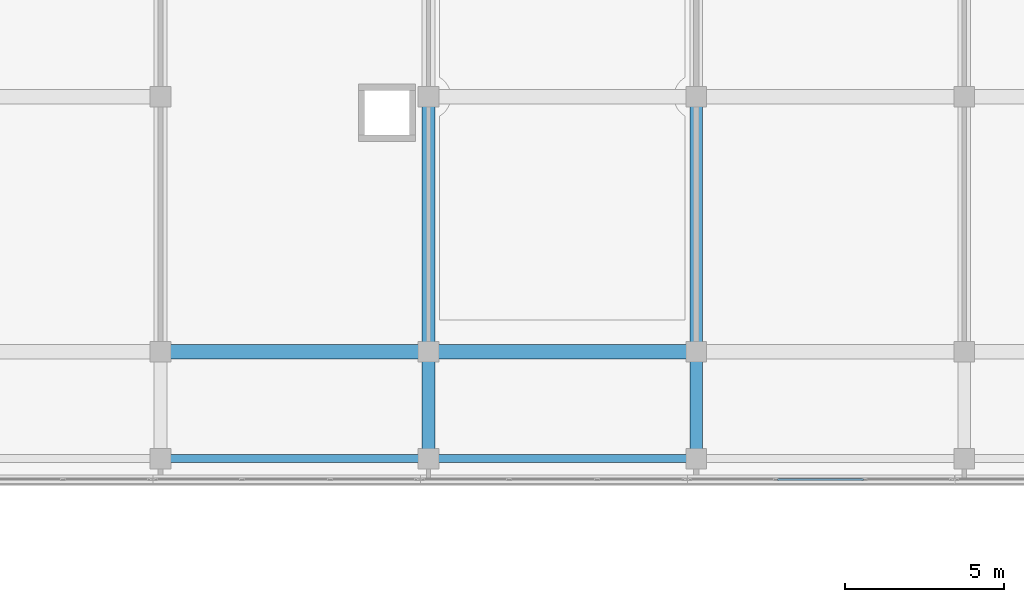
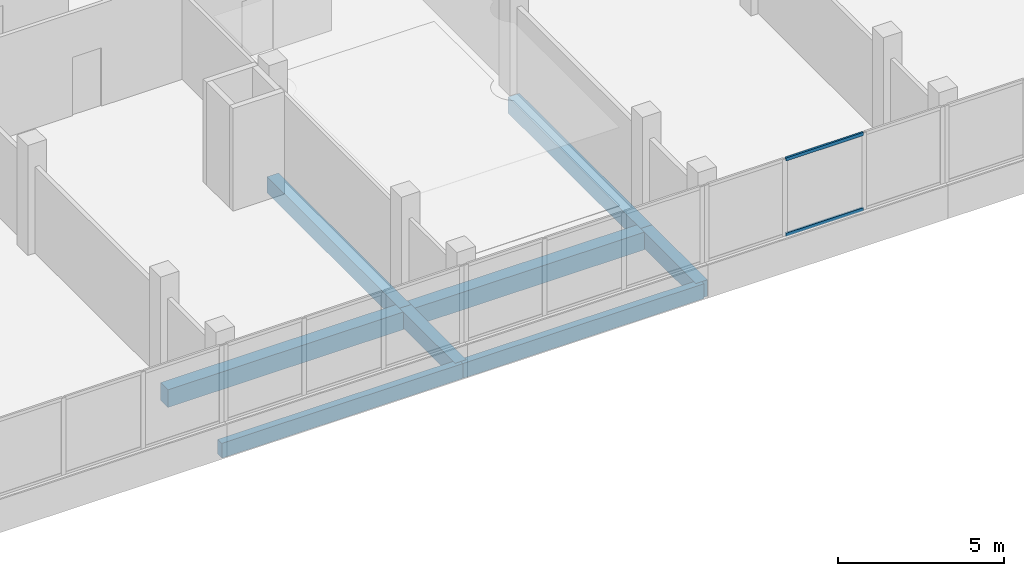
# One storey, part 34 of 76: 8 beams, 2 members, 1 element without a shape of its own.
"""IFC4 building model written with IfcOpenShell, lengths in metres."""

from ifc_helpers import new_model, si_unit, direction, frame, origin, origin_2d, place, context, subcontext, project, spatial, rectangle, hollow_rectangle, extrude, material, material_profile, profile_set, type_object, element, aggregate, save


model = new_model("IFC4")

# Units and contexts
model_context = context("Model", 3, precision=1e-05, world=origin(), true_north=direction((0.0, 1.0)))
body_context = subcontext(model_context, "Body", "Model", "MODEL_VIEW")
ifc_project = project(units=[si_unit("LENGTHUNIT", "METRE"), si_unit("AREAUNIT", "SQUARE_METRE"), si_unit("VOLUMEUNIT", "CUBIC_METRE"), si_unit("PLANEANGLEUNIT", "RADIAN"), si_unit("MASSUNIT", "GRAM", prefix="KILO")], contexts=[model_context])

# Site, building, storey
site_placement = place(None, origin())
site = spatial("IfcSite", under=ifc_project, at=site_placement, CompositionType="ELEMENT")
building_placement = place(site_placement, origin())
building = spatial("IfcBuilding", under=site, at=building_placement, Name="Selatvlak General Hospital", CompositionType="ELEMENT")
storey_placement = place(building_placement, frame((0.0, 0.0, 27.300048828125)))
storey = spatial("IfcBuildingStorey", under=building, at=storey_placement, Name="L06", CompositionType="ELEMENT", Elevation=27.300048828125)

# Beams
ifc_material_1 = material(Name="Concrete C40/50", Category="concrete")
ifc_material_profile_1 = material_profile(ifc_material_1, rectangle(XDim=0.449951171875, YDim=0.64990234375, at=origin_2d()), Name="RC-BM 450x650")
ifc_profile_set_1 = profile_set([ifc_material_profile_1], Name="Concrete C40/50")
beam_type_1 = type_object("IfcBeamType", Name="BM-G04", PredefinedType="BEAM", material=ifc_profile_set_1)
beam_1_placement = place(storey_placement, frame((115.199951171875, 92.0, -0.60009765625), z_axis=(1.0, 0.0, 0.0), x_axis=(0.0, 1.0, 0.0)))
element("IfcBeam", 1, at=beam_1_placement, inside=storey, type_object=beam_type_1, Name="Beam BMR-L06-2173", PredefinedType="BEAM", context=body_context, shape_type="SweptSolid", body=[
    extrude(rectangle(XDim=0.449951171875, YDim=0.64990234375, at=origin_2d()), origin(), (0.0, 0.0, 1.0), 8.400146484375),
])
beam_2_placement = place(storey_placement, frame((123.60009765625, 92.0, -0.60009765625), z_axis=(1.0, 0.0, 0.0), x_axis=(0.0, 1.0, 0.0)))
element("IfcBeam", 2, at=beam_2_placement, inside=storey, type_object=beam_type_1, Name="Beam BMR-L06-2174", PredefinedType="BEAM", context=body_context, shape_type="SweptSolid", body=[
    extrude(rectangle(XDim=0.449951171875, YDim=0.64990234375, at=origin_2d()), origin(), (0.0, 0.0, 1.0), 8.39990234375),
])
ifc_material_profile_2 = material_profile(ifc_material_1, rectangle(XDim=0.39990234375, YDim=0.60009765625, at=origin_2d()), Name="RC-BM 400x600")
ifc_profile_set_2 = profile_set([ifc_material_profile_2], Name="Concrete C40/50")
beam_type_2 = type_object("IfcBeamType", Name="BM-G05", PredefinedType="BEAM", material=ifc_profile_set_2)
beam_3_placement = place(storey_placement, frame((123.60009765625, 88.64990234375, -0.574951171875), z_axis=(0.0, 1.0, 0.0), x_axis=(-1.0, 0.0, 0.0)))
element("IfcBeam", 3, at=beam_3_placement, inside=storey, type_object=beam_type_2, Name="Beam BMR-L06-2300", PredefinedType="BEAM", context=body_context, shape_type="SweptSolid", body=[
    extrude(rectangle(XDim=0.39990234375, YDim=0.60009765625, at=origin_2d()), origin(), (0.0, 0.0, 1.0), 3.35009765625),
])
beam_4_placement = place(storey_placement, frame((123.60009765625, 92.0, -0.574951171875), z_axis=(0.0, 1.0, 0.0), x_axis=(-1.0, 0.0, 0.0)))
element("IfcBeam", 4, at=beam_4_placement, inside=storey, type_object=beam_type_2, Name="Beam BMR-L06-2301", PredefinedType="BEAM", context=body_context, shape_type="SweptSolid", body=[
    extrude(rectangle(XDim=0.39990234375, YDim=0.60009765625, at=origin_2d()), origin(), (0.0, 0.0, 1.0), 8.0),
])
beam_5_placement = place(storey_placement, frame((132.0, 88.64990234375, -0.574951171875), z_axis=(0.0, 1.0, 0.0), x_axis=(-1.0, 0.0, 0.0)))
element("IfcBeam", 5, at=beam_5_placement, inside=storey, type_object=beam_type_2, Name="Beam BMR-L06-2305", PredefinedType="BEAM", context=body_context, shape_type="SweptSolid", body=[
    extrude(rectangle(XDim=0.39990234375, YDim=0.60009765625, at=origin_2d()), origin(), (0.0, 0.0, 1.0), 3.35009765625),
])
beam_6_placement = place(storey_placement, frame((132.0, 92.0, -0.574951171875), z_axis=(0.0, 1.0, 0.0), x_axis=(-1.0, 0.0, 0.0)))
element("IfcBeam", 6, at=beam_6_placement, inside=storey, type_object=beam_type_2, Name="Beam BMR-L06-2306", PredefinedType="BEAM", context=body_context, shape_type="SweptSolid", body=[
    extrude(rectangle(XDim=0.39990234375, YDim=0.60009765625, at=origin_2d()), origin(), (0.0, 0.0, 1.0), 8.0),
])
ifc_material_profile_3 = material_profile(ifc_material_1, rectangle(XDim=0.25, YDim=0.550048828125, at=origin_2d()), Name="RC-SP 250x550")
ifc_profile_set_3 = profile_set([ifc_material_profile_3], Name="Concrete C40/50")
beam_type_3 = type_object("IfcBeamType", Name="BM-SP2", PredefinedType="SPANDREL", material=ifc_profile_set_3)
beam_7_placement = place(storey_placement, frame((115.199951171875, 88.64990234375, -0.550048828125), z_axis=(1.0, 0.0, 0.0), x_axis=(0.0, 1.0, 0.0)))
element("IfcBeam", 7, at=beam_7_placement, inside=storey, type_object=beam_type_3, Name="Beam BMR-L06-2154", PredefinedType="SPANDREL", context=body_context, shape_type="SweptSolid", body=[
    extrude(rectangle(XDim=0.25, YDim=0.550048828125, at=origin_2d()), origin(), (0.0, 0.0, 1.0), 8.400146484375),
])
beam_8_placement = place(storey_placement, frame((123.60009765625, 88.64990234375, -0.550048828125), z_axis=(1.0, 0.0, 0.0), x_axis=(0.0, 1.0, 0.0)))
element("IfcBeam", 8, at=beam_8_placement, inside=storey, type_object=beam_type_3, Name="Beam BMR-L06-2155", PredefinedType="SPANDREL", context=body_context, shape_type="SweptSolid", body=[
    extrude(rectangle(XDim=0.25, YDim=0.550048828125, at=origin_2d()), origin(), (0.0, 0.0, 1.0), 8.39990234375),
])

# Curtain wall, members
ifc_material_2 = material(Name="Solar-control Low-E double glazing", Category="glass")
curtain_wall_type = type_object("IfcCurtainWallType", Name="CW-CW-01", PredefinedType="USERDEFINED", material=ifc_material_2)
curtain_wall_placement = place(storey_placement, origin())
curtain_wall = element("IfcCurtainWall", 9, at=curtain_wall_placement, inside=storey, type_object=curtain_wall_type, Name="Glazed facade curtain wall CW-L06-0625", ObjectType="UNITISED CURTAIN WALL", PredefinedType="USERDEFINED")
ifc_material_3 = material(Name="Dark anodised aluminium mullion", Category="aluminium")
ifc_material_profile_4 = material_profile(ifc_material_3, hollow_rectangle(XDim=0.06494140625, YDim=0.1201171875, WallThickness=0.00390625, at=origin_2d()), Name="AL-TRN 65x120x4")
ifc_profile_set_4 = profile_set([ifc_material_profile_4], Name="Dark anodised aluminium mullion")
member_type = type_object("IfcMemberType", Name="CWT-01", PredefinedType="USERDEFINED", material=ifc_profile_set_4)
member_1_placement = place(storey_placement, frame((137.2412109375, 88.0009765625, 0.972412109375), z_axis=(-1.0, 0.0, 0.0), x_axis=(0.0, -1.0, 0.0)))
member_1 = element("IfcMember", 10, at=member_1_placement, type_object=member_type, Name="CW-01 transom 2.1", ObjectType="TRANSOM", PredefinedType="USERDEFINED", context=body_context, shape_type="SweptSolid", body=[
    extrude(hollow_rectangle(XDim=0.06494140625, YDim=0.1201171875, WallThickness=0.00390625, at=origin_2d()), origin(), (0.0, 0.0, 1.0), 2.701416015625),
])
member_2_placement = place(storey_placement, frame((137.2412109375, 88.0009765625, 3.74755859375), z_axis=(-1.0, 0.0, 0.0), x_axis=(0.0, -1.0, 0.0)))
member_2 = element("IfcMember", 11, at=member_2_placement, type_object=member_type, Name="CW-01 transom 2.2", ObjectType="TRANSOM", PredefinedType="USERDEFINED", context=body_context, shape_type="SweptSolid", body=[
    extrude(hollow_rectangle(XDim=0.06494140625, YDim=0.1201171875, WallThickness=0.00390625, at=origin_2d()), origin(), (0.0, 0.0, 1.0), 2.701416015625),
])
aggregate(curtain_wall, [member_1, member_2])

save(model, "model.ifc")
